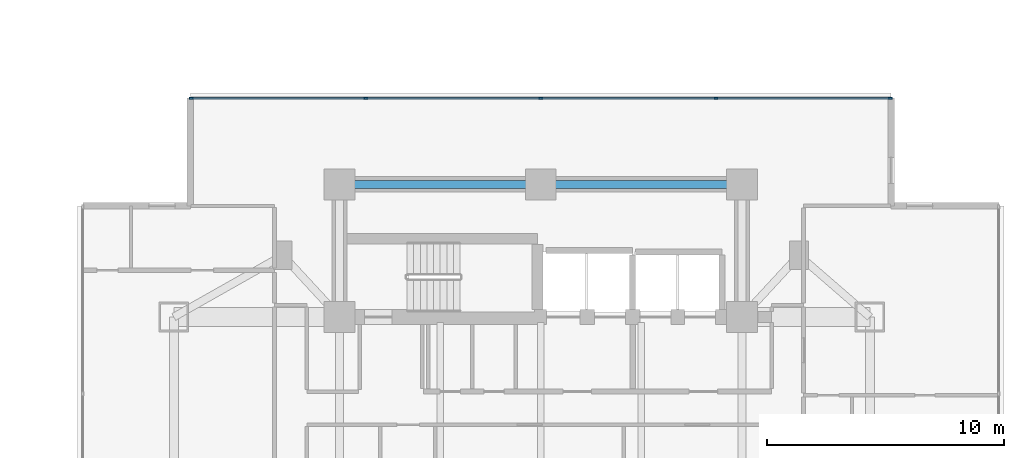
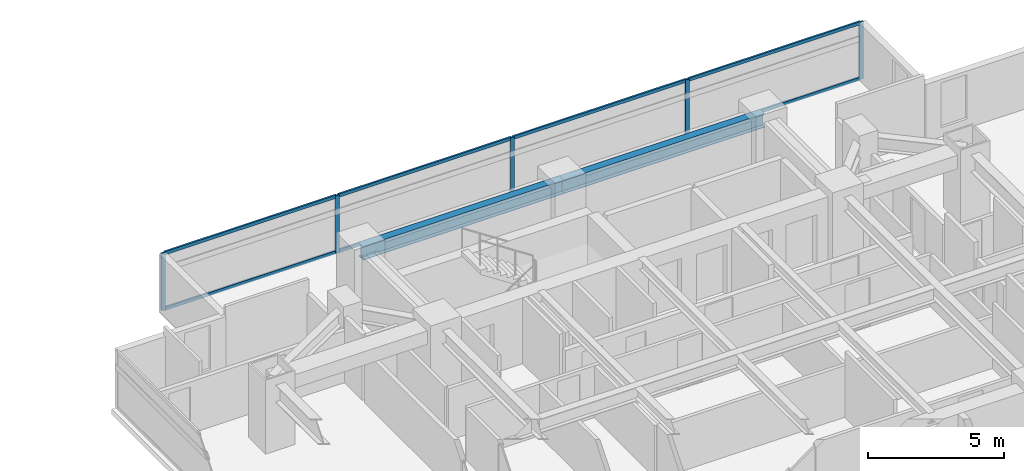
# One storey, part 12 of 26: 13 members, 2 beams, 1 element without a shape of its own.
"""IFC4 building model written with IfcOpenShell, lengths in metres."""

from ifc_helpers import new_model, si_unit, direction, frame, origin, origin_2d, place, context, subcontext, project, spatial, rectangle, i_section, extrude, material, material_profile, profile_set, type_object, element, aggregate, save


model = new_model("IFC4")

# Units and contexts
model_context = context("Model", 3, precision=1e-05, world=origin(), true_north=direction((0.0, 1.0)))
body_context = subcontext(model_context, "Body", "Model", "MODEL_VIEW")
ifc_project = project(units=[si_unit("LENGTHUNIT", "METRE"), si_unit("AREAUNIT", "SQUARE_METRE"), si_unit("VOLUMEUNIT", "CUBIC_METRE"), si_unit("PLANEANGLEUNIT", "RADIAN"), si_unit("MASSUNIT", "GRAM", prefix="KILO")], contexts=[model_context])

# Site, building, storey
site_placement = place(None, origin())
site = spatial("IfcSite", under=ifc_project, at=site_placement, CompositionType="ELEMENT")
building_placement = place(site_placement, origin())
building = spatial("IfcBuilding", under=site, at=building_placement, Name="Mirazonda Arch Towers", CompositionType="ELEMENT")
storey_placement = place(building_placement, frame((0.0, 0.0, 78.5)))
storey = spatial("IfcBuildingStorey", under=building, at=storey_placement, Name="L22", CompositionType="ELEMENT", Elevation=78.5)

# Beams
ifc_material_1 = material(Name="Steel ASTM A992 Grade 50", Category="steel")
ifc_material_profile_1 = material_profile(ifc_material_1, i_section(OverallWidth=0.324951171875, OverallDepth=0.615966796875, WebThickness=0.013916015625, FlangeThickness=0.021484375, at=origin_2d()), Name="W24X117")
ifc_profile_set_1 = profile_set([ifc_material_profile_1], Name="Steel ASTM A992 Grade 50")
beam_type = type_object("IfcBeamType", Name="BM-INT-W24X117", PredefinedType="BEAM", material=ifc_profile_set_1)
for number, where, z_axis, x_axis, name in (
    (1, (68.0, 40.800048828125, 2.632080078125), (1.0, 0.0, 0.0), (0.0, 1.0, 0.0), "L22 Floor Beam BMT-T2-L22-CN1"),
    (2, (76.5, 40.800048828125, 2.632080078125), (1.0, 0.0, 0.0), (0.0, 1.0, 0.0), "L22 Floor Beam BMT-T2-L22-CN2"),
):
    element("IfcBeam", number, at=place(storey_placement, frame(where, z_axis=z_axis, x_axis=x_axis)), inside=storey, type_object=beam_type, Name=name, PredefinedType="BEAM", context=body_context, shape_type="SweptSolid", body=[
        extrude(i_section(OverallWidth=0.324951171875, OverallDepth=0.615966796875, WebThickness=0.013916015625, FlangeThickness=0.021484375, at=origin_2d()), origin(), (0.0, 0.0, 1.0), 8.5),
    ])

# Curtain wall, members
ifc_material_2 = material(Name="Anodised Aluminium and Low-E Glass", Category="aluminium")
curtain_wall_type = type_object("IfcCurtainWallType", Name="CW-HTL-UNIT", PredefinedType="NOTDEFINED", material=ifc_material_2)
curtain_wall_placement = place(storey_placement, origin())
curtain_wall = element("IfcCurtainWall", 3, at=curtain_wall_placement, inside=storey, type_object=curtain_wall_type, Name="L22 T2 N Facade CW-L22-T2-N", PredefinedType="NOTDEFINED")
ifc_material_3 = material(Name="Anodised Aluminium Alloy", Category="aluminium")
ifc_material_profile_2 = material_profile(ifc_material_3, rectangle(XDim=0.074951171875, YDim=0.1650390625, at=origin_2d()), Name="ALU-MULL-75x165")
ifc_profile_set_2 = profile_set([ifc_material_profile_2], Name="Anodised Aluminium Alloy")
member_type_1 = type_object("IfcMemberType", Name="MULL-CW-HTL-UNIT", PredefinedType="MULLION", material=ifc_profile_set_2)
member_1_placement = place(storey_placement, frame((61.739501953125, 44.4423828125, 0.0), z_axis=(0.0, 0.0, 1.0), x_axis=(0.0, 1.0, 0.0)))
member_1 = element("IfcMember", 4, at=member_1_placement, type_object=member_type_1, Name="CW-112 mullion 1", PredefinedType="MULLION", context=body_context, shape_type="SweptSolid", body=[
    extrude(rectangle(XDim=0.074951171875, YDim=0.1650390625, at=origin_2d()), origin(), (0.0, 0.0, 1.0), 2.56005859375),
])
member_2_placement = place(storey_placement, frame((69.10107421875, 44.4423828125, 0.0), z_axis=(0.0, 0.0, 1.0), x_axis=(0.0, 1.0, 0.0)))
member_2 = element("IfcMember", 5, at=member_2_placement, type_object=member_type_1, Name="CW-112 mullion 2", PredefinedType="MULLION", context=body_context, shape_type="SweptSolid", body=[
    extrude(rectangle(XDim=0.074951171875, YDim=0.1650390625, at=origin_2d()), origin(), (0.0, 0.0, 1.0), 2.56005859375),
])
member_3_placement = place(storey_placement, frame((76.5, 44.4423828125, 0.0), z_axis=(0.0, 0.0, 1.0), x_axis=(0.0, 1.0, 0.0)))
member_3 = element("IfcMember", 6, at=member_3_placement, type_object=member_type_1, Name="CW-112 mullion 3", PredefinedType="MULLION", context=body_context, shape_type="SweptSolid", body=[
    extrude(rectangle(XDim=0.074951171875, YDim=0.1650390625, at=origin_2d()), origin(), (0.0, 0.0, 1.0), 2.56005859375),
])
member_4_placement = place(storey_placement, frame((83.89892578125, 44.4423828125, 0.0), z_axis=(0.0, 0.0, 1.0), x_axis=(0.0, 1.0, 0.0)))
member_4 = element("IfcMember", 7, at=member_4_placement, type_object=member_type_1, Name="CW-112 mullion 4", PredefinedType="MULLION", context=body_context, shape_type="SweptSolid", body=[
    extrude(rectangle(XDim=0.074951171875, YDim=0.1650390625, at=origin_2d()), origin(), (0.0, 0.0, 1.0), 2.56005859375),
])
member_5_placement = place(storey_placement, frame((91.260498046875, 44.4423828125, 0.0), z_axis=(0.0, 0.0, 1.0), x_axis=(0.0, 1.0, 0.0)))
member_5 = element("IfcMember", 8, at=member_5_placement, type_object=member_type_1, Name="CW-112 mullion 5", PredefinedType="MULLION", context=body_context, shape_type="SweptSolid", body=[
    extrude(rectangle(XDim=0.074951171875, YDim=0.1650390625, at=origin_2d()), origin(), (0.0, 0.0, 1.0), 2.56005859375),
])
ifc_material_profile_3 = material_profile(ifc_material_3, rectangle(XDim=0.074951171875, YDim=0.14501953125, at=origin_2d()), Name="ALU-TRAN-75x145")
ifc_profile_set_3 = profile_set([ifc_material_profile_3], Name="Anodised Aluminium Alloy")
member_type_2 = type_object("IfcMemberType", Name="TRAN-CW-HTL-UNIT", PredefinedType="USERDEFINED", material=ifc_profile_set_3)
member_6_placement = place(storey_placement, frame((61.777099609375, 44.4423828125, 0.03759765625), z_axis=(1.0, 0.0, 0.0), x_axis=(0.0, 1.0, 0.0)))
member_6 = element("IfcMember", 9, at=member_6_placement, type_object=member_type_2, Name="CW-112 transom 1.1", ObjectType="TRANSOM", PredefinedType="USERDEFINED", context=body_context, shape_type="SweptSolid", body=[
    extrude(rectangle(XDim=0.074951171875, YDim=0.14501953125, at=origin_2d()), origin(), (0.0, 0.0, 1.0), 7.286376953125),
])
member_7_placement = place(storey_placement, frame((61.777099609375, 44.4423828125, 2.5224609375), z_axis=(1.0, 0.0, 0.0), x_axis=(0.0, 1.0, 0.0)))
member_7 = element("IfcMember", 10, at=member_7_placement, type_object=member_type_2, Name="CW-112 transom 1.2", ObjectType="TRANSOM", PredefinedType="USERDEFINED", context=body_context, shape_type="SweptSolid", body=[
    extrude(rectangle(XDim=0.074951171875, YDim=0.14501953125, at=origin_2d()), origin(), (0.0, 0.0, 1.0), 7.286376953125),
])
member_8_placement = place(storey_placement, frame((69.138427734375, 44.4423828125, 0.03759765625), z_axis=(1.0, 0.0, 0.0), x_axis=(0.0, 1.0, 0.0)))
member_8 = element("IfcMember", 11, at=member_8_placement, type_object=member_type_2, Name="CW-112 transom 2.1", ObjectType="TRANSOM", PredefinedType="USERDEFINED", context=body_context, shape_type="SweptSolid", body=[
    extrude(rectangle(XDim=0.074951171875, YDim=0.14501953125, at=origin_2d()), origin(), (0.0, 0.0, 1.0), 7.323974609375),
])
member_9_placement = place(storey_placement, frame((69.138427734375, 44.4423828125, 2.5224609375), z_axis=(1.0, 0.0, 0.0), x_axis=(0.0, 1.0, 0.0)))
member_9 = element("IfcMember", 12, at=member_9_placement, type_object=member_type_2, Name="CW-112 transom 2.2", ObjectType="TRANSOM", PredefinedType="USERDEFINED", context=body_context, shape_type="SweptSolid", body=[
    extrude(rectangle(XDim=0.074951171875, YDim=0.14501953125, at=origin_2d()), origin(), (0.0, 0.0, 1.0), 7.323974609375),
])
member_10_placement = place(storey_placement, frame((76.53759765625, 44.4423828125, 0.03759765625), z_axis=(1.0, 0.0, 0.0), x_axis=(0.0, 1.0, 0.0)))
member_10 = element("IfcMember", 13, at=member_10_placement, type_object=member_type_2, Name="CW-112 transom 3.1", ObjectType="TRANSOM", PredefinedType="USERDEFINED", context=body_context, shape_type="SweptSolid", body=[
    extrude(rectangle(XDim=0.074951171875, YDim=0.14501953125, at=origin_2d()), origin(), (0.0, 0.0, 1.0), 7.323974609375),
])
member_11_placement = place(storey_placement, frame((76.53759765625, 44.4423828125, 2.5224609375), z_axis=(1.0, 0.0, 0.0), x_axis=(0.0, 1.0, 0.0)))
member_11 = element("IfcMember", 14, at=member_11_placement, type_object=member_type_2, Name="CW-112 transom 3.2", ObjectType="TRANSOM", PredefinedType="USERDEFINED", context=body_context, shape_type="SweptSolid", body=[
    extrude(rectangle(XDim=0.074951171875, YDim=0.14501953125, at=origin_2d()), origin(), (0.0, 0.0, 1.0), 7.323974609375),
])
member_12_placement = place(storey_placement, frame((83.9365234375, 44.4423828125, 0.03759765625), z_axis=(1.0, 0.0, 0.0), x_axis=(0.0, 1.0, 0.0)))
member_12 = element("IfcMember", 15, at=member_12_placement, type_object=member_type_2, Name="CW-112 transom 4.1", ObjectType="TRANSOM", PredefinedType="USERDEFINED", context=body_context, shape_type="SweptSolid", body=[
    extrude(rectangle(XDim=0.074951171875, YDim=0.14501953125, at=origin_2d()), origin(), (0.0, 0.0, 1.0), 7.286376953125),
])
member_13_placement = place(storey_placement, frame((83.9365234375, 44.4423828125, 2.5224609375), z_axis=(1.0, 0.0, 0.0), x_axis=(0.0, 1.0, 0.0)))
member_13 = element("IfcMember", 16, at=member_13_placement, type_object=member_type_2, Name="CW-112 transom 4.2", ObjectType="TRANSOM", PredefinedType="USERDEFINED", context=body_context, shape_type="SweptSolid", body=[
    extrude(rectangle(XDim=0.074951171875, YDim=0.14501953125, at=origin_2d()), origin(), (0.0, 0.0, 1.0), 7.286376953125),
])
aggregate(curtain_wall, [member_1, member_2, member_3, member_4, member_5, member_6, member_7, member_8, member_9, member_10, member_11, member_12, member_13])

save(model, "model.ifc")
